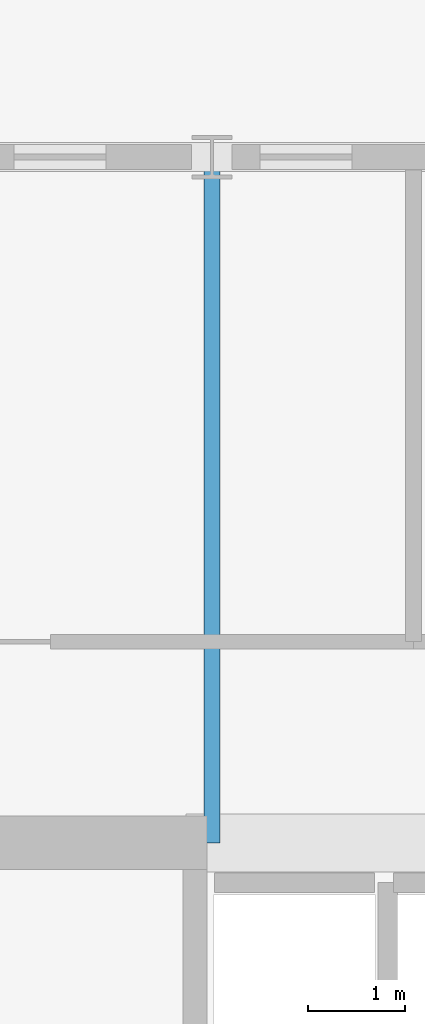
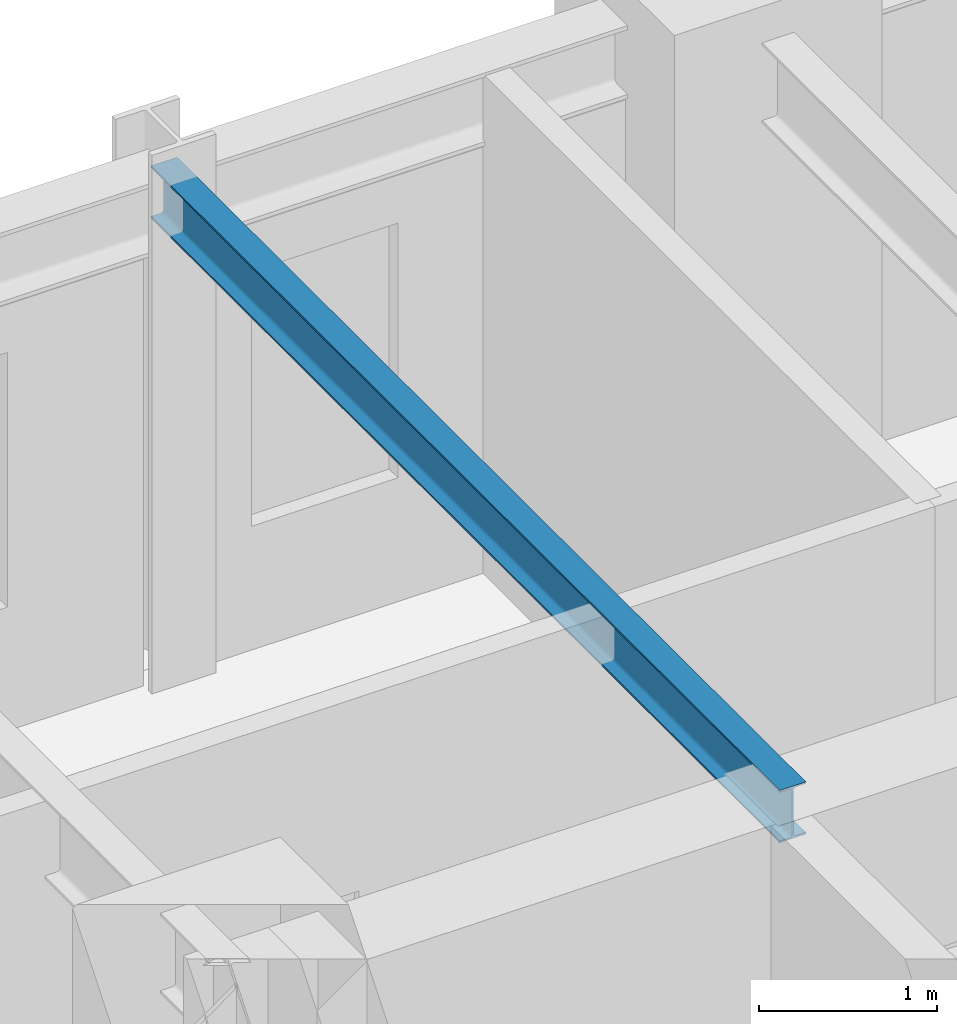
# One storey, part 7 of 19: 1 beam.
"""IFC4 building model written with IfcOpenShell, lengths in metres."""

from ifc_helpers import new_model, si_unit, direction, frame, origin, origin_2d, place, context, subcontext, project, spatial, i_section, extrude, source, transform, mapped, material, material_profile, profile_set, type_object, element, save


model = new_model("IFC4")

# Units and contexts
model_context = context("Model", 3, precision=1e-05, world=origin(), true_north=direction((0.0, 1.0)))
body_context = subcontext(model_context, "Body", "Model", "MODEL_VIEW")
ifc_project = project(units=[si_unit("LENGTHUNIT", "METRE"), si_unit("AREAUNIT", "SQUARE_METRE"), si_unit("VOLUMEUNIT", "CUBIC_METRE"), si_unit("PLANEANGLEUNIT", "RADIAN"), si_unit("MASSUNIT", "GRAM", prefix="KILO")], contexts=[model_context])

# Site, building, storey
site_placement = place(None, origin())
site = spatial("IfcSite", under=ifc_project, at=site_placement, CompositionType="ELEMENT")
building_placement = place(site_placement, origin())
building = spatial("IfcBuilding", under=site, at=building_placement, Name="Kaliganga Portal Commons", CompositionType="ELEMENT")
storey_placement = place(building_placement, frame((0.0, 0.0, 47.5)))
storey = spatial("IfcBuildingStorey", under=building, at=storey_placement, Name="L11", CompositionType="ELEMENT", Elevation=47.5)

# Beam
ifc_material = material(Name="Structural steel S355J2", Category="steel")
ifc_material_profile = material_profile(ifc_material, i_section(OverallWidth=0.169921875, OverallDepth=0.360107421875, WebThickness=0.008056640625, FlangeThickness=0.0126953125, FilletRadius=0.01806640625, at=origin_2d()), Name="IPE 360")
ifc_profile_set = profile_set([ifc_material_profile], Name="Structural steel S355J2 wide-flange")
beam_type = type_object("IfcBeamType", Name="BM-JST-360", PredefinedType="JOIST", material=ifc_profile_set)
shared_shape = source(origin(), body_context, "Body", "SweptSolid", [
    extrude(i_section(OverallWidth=0.169921875, OverallDepth=0.360107421875, WebThickness=0.008056640625, FlangeThickness=0.0126953125, FilletRadius=0.01806640625, at=origin_2d()), origin(), (0.0, 0.0, 1.0), 7.074951171875),
])
beam_placement = place(storey_placement, frame((18.0, 36.125, 3.27001953125), z_axis=(0.0, 1.0, 0.0), x_axis=(-1.0, 0.0, 0.0)))
element("IfcBeam", 1, at=beam_placement, inside=storey, type_object=beam_type, Name="BM G L11 AN180", PredefinedType="JOIST", context=body_context, shape_type="MappedRepresentation", body=[
    mapped(shared_shape, transform((0.0, 0.0, 0.0), x_axis=(1.0, 0.0, 0.0), y_axis=(0.0, 1.0, 0.0), z_axis=(0.0, 0.0, 1.0), scale=1.0)),
])

save(model, "model.ifc")
